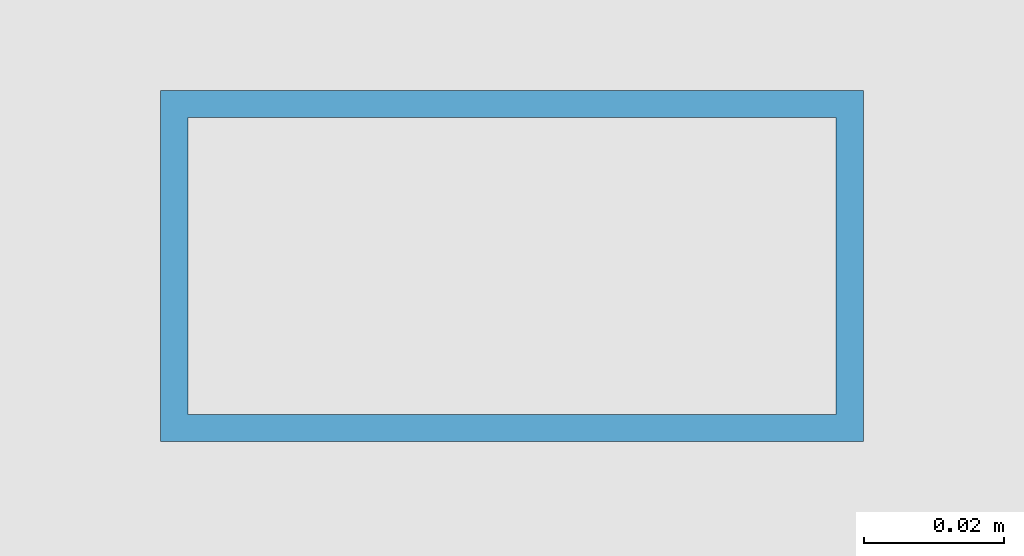
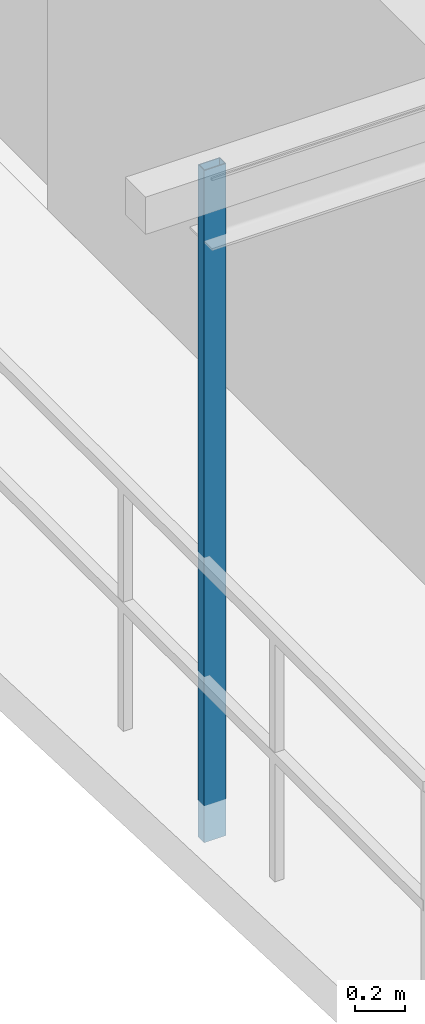
# One storey, part 3 of 15: 1 member.
"""IFC4 building model written with IfcOpenShell, lengths in metres."""

import ifcopenshell
import ifcopenshell.guid

model = None  # the IFC model being written
_history = None  # IfcOwnerHistory: only IFC2X3 demands one
_inside = {}  # id of a spatial element -> (the spatial element, [elements in it])
_under = {}  # id of a project, library or spatial element -> (it, [spatial elements below it])
_declared = {}  # id of a project -> (the project, [libraries it declares])
_typed = {}  # id of a type object -> (the type object, [elements of that type])
_made_of = {}  # id of a material, layer set ... -> (it, [elements and type objects made of it])


def new_model(schema):
    """Start an empty IFC model of exactly this schema.

    Asked for "IFC4X3", IfcOpenShell would pick the latest addendum, in which some entities
    have other attributes; the version numbers below select the first issue.
    IFC2X3 requires an IfcOwnerHistory on every rooted entity: one is made here for all.
    """
    global model, _history
    if schema == "IFC4X3":
        model = ifcopenshell.file(schema_version=(4, 3, 0, 0))
    else:
        model = ifcopenshell.file(schema=schema)
    _inside.clear()
    _under.clear()
    _declared.clear()
    _typed.clear()
    _made_of.clear()
    _history = None
    if model.schema == "IFC2X3":
        org = make("IfcOrganization", Name="unknown")
        user = make(
            "IfcPersonAndOrganization",
            ThePerson=make("IfcPerson", FamilyName="unknown"),
            TheOrganization=org,
        )
        app = make(
            "IfcApplication",
            ApplicationDeveloper=org,
            Version="unknown",
            ApplicationFullName="unknown",
            ApplicationIdentifier="unknown",
        )
        _history = make(
            "IfcOwnerHistory",
            OwningUser=user,
            OwningApplication=app,
            ChangeAction="ADDED",
            CreationDate=0,
        )
    return model


def make(cls, **values):
    """One entity of the class cls with the attributes given. An attribute that is None is left unset."""
    return model.create_entity(
        cls, **{name: value for name, value in values.items() if value is not None}
    )


def rooted(cls, **values):
    """An entity with a GlobalId (a new one), such as an element, a storey or a relation."""
    return make(cls, GlobalId=ifcopenshell.guid.new(), OwnerHistory=_history, **values)


def si_unit(unit_type, name, prefix=None):
    """IfcSIUnit, for example si_unit("LENGTHUNIT", "METRE", prefix="MILLI")."""
    return make("IfcSIUnit", UnitType=unit_type, Prefix=prefix, Name=name)


def assignment(units):
    """IfcUnitAssignment: the units of a project."""
    return None if units is None else make("IfcUnitAssignment", Units=units)


def point(xyz):
    """IfcCartesianPoint."""
    return None if xyz is None else make("IfcCartesianPoint", Coordinates=xyz)


def direction(xyz):
    """IfcDirection."""
    return None if xyz is None else make("IfcDirection", DirectionRatios=xyz)


def frame(location, z_axis=None, x_axis=None):
    """IfcAxis2Placement3D, a coordinate frame: its origin and axes. An axis left out is left unset."""
    return make(
        "IfcAxis2Placement3D",
        Location=point(location),
        Axis=direction(z_axis),
        RefDirection=direction(x_axis),
    )


def frame_2d(location, x_axis=None):
    """IfcAxis2Placement2D, a coordinate frame in the plane: its origin and x axis."""
    return make(
        "IfcAxis2Placement2D", Location=point(location), RefDirection=direction(x_axis)
    )


def origin():
    """The frame at (0, 0, 0) with its axes left unset."""
    return frame((0.0, 0.0, 0.0))


def origin_2d():
    """The frame at (0, 0) in the plane with its x axis left unset."""
    return frame_2d((0.0, 0.0))


def place(relative_to, where):
    """IfcLocalPlacement: puts the frame where relative to a parent placement (None: the world)."""
    return make(
        "IfcLocalPlacement", PlacementRelTo=relative_to, RelativePlacement=where
    )


def context(
    kind, dimensions, precision=None, world=None, true_north=None, identifier=None
):
    """IfcGeometricRepresentationContext, for example the 3D "Model" context."""
    return make(
        "IfcGeometricRepresentationContext",
        ContextIdentifier=identifier,
        ContextType=kind,
        CoordinateSpaceDimension=dimensions,
        Precision=precision,
        WorldCoordinateSystem=world,
        TrueNorth=true_north,
    )


def subcontext(parent, identifier, kind, view, scale=None):
    """IfcGeometricRepresentationSubContext, for example "Body" below "Model"."""
    return make(
        "IfcGeometricRepresentationSubContext",
        ContextIdentifier=identifier,
        ContextType=kind,
        ParentContext=parent,
        TargetScale=scale,
        TargetView=view,
    )


def project(units=None, contexts=None):
    """IfcProject with its units and contexts."""
    return rooted(
        "IfcProject",
        Name="project",
        RepresentationContexts=contexts,
        UnitsInContext=assignment(units),
    )


def spatial(cls, under=None, at=None, **own):
    """A site, building, storey or space (cls), placed at a placement, below another one or the project."""
    s = rooted(cls, ObjectPlacement=at, **own)
    if under is not None:
        _under.setdefault(under.id(), (under, []))[1].append(s)
    return s


def profile(cls, at=None, kind="AREA", **sizes):
    """A parametric profile (cls). Its sizes go by their IFC names, for example OverallWidth=200.0."""
    return make(cls, ProfileType=kind, Position=at, **sizes)


def hollow_rectangle(**sizes):
    """IfcRectangleHollowProfileDef."""
    return profile("IfcRectangleHollowProfileDef", **sizes)


def extrude(swept, where, along, depth):
    """IfcExtrudedAreaSolid: the profile swept, set in the frame where, extruded along a direction by depth."""
    return make(
        "IfcExtrudedAreaSolid",
        SweptArea=swept,
        Position=where,
        ExtrudedDirection=direction(along),
        Depth=depth,
    )


def shape(context_of_items, identifier, shape_type, items):
    """IfcShapeRepresentation: the items that make up one representation, for example the "Body"."""
    return make(
        "IfcShapeRepresentation",
        ContextOfItems=context_of_items,
        RepresentationIdentifier=identifier,
        RepresentationType=shape_type,
        Items=items,
    )


def source(mapping_origin, context_of_items, identifier, shape_type, items):
    """IfcRepresentationMap: a shape defined once, which mapped items show again and again."""
    return make(
        "IfcRepresentationMap",
        MappingOrigin=mapping_origin,
        MappedRepresentation=shape(context_of_items, identifier, shape_type, items),
    )


def transform(
    local_origin,
    x_axis=None,
    y_axis=None,
    z_axis=None,
    scale=None,
    scale2=None,
    scale3=None,
    uniform=True,
):
    """IfcCartesianTransformationOperator3D, or its non-uniform kind. x_axis, y_axis, z_axis: its Axis1, 2, 3."""
    if uniform:
        return make(
            "IfcCartesianTransformationOperator3D",
            Axis1=direction(x_axis),
            Axis2=direction(y_axis),
            LocalOrigin=point(local_origin),
            Scale=scale,
            Axis3=direction(z_axis),
        )
    return make(
        "IfcCartesianTransformationOperator3DnonUniform",
        Axis1=direction(x_axis),
        Axis2=direction(y_axis),
        LocalOrigin=point(local_origin),
        Scale=scale,
        Axis3=direction(z_axis),
        Scale2=scale2,
        Scale3=scale3,
    )


def mapped(mapping_source, mapping_target):
    """IfcMappedItem: shows the shape of a source again, moved by a transform."""
    return make(
        "IfcMappedItem", MappingSource=mapping_source, MappingTarget=mapping_target
    )


def material(Name=None, Category=None):
    """IfcMaterial."""
    return make("IfcMaterial", Name=Name, Category=Category)


def material_profile(
    of_material, cross_section, Name=None, Category=None, Priority=None
):
    """IfcMaterialProfile: a cross section and its material."""
    return make(
        "IfcMaterialProfile",
        Name=Name,
        Material=of_material,
        Profile=cross_section,
        Priority=Priority,
        Category=Category,
    )


def profile_set(profiles, Name=None, composite=None):
    """IfcMaterialProfileSet."""
    return make(
        "IfcMaterialProfileSet",
        Name=Name,
        MaterialProfiles=profiles,
        CompositeProfile=composite,
    )


def made_of(thing, what):
    """Note that an element or type object is made of a material, layer set ...; save() writes the relation."""
    if what is not None:
        _made_of.setdefault(what.id(), (what, []))[1].append(thing)
    return thing


def type_object(cls, material=None, **own):
    """A type object (cls), such as IfcWallType, which elements share."""
    return made_of(rooted(cls, **own), material)


def element(
    cls,
    number,
    at=None,
    inside=None,
    cuts=None,
    type_object=None,
    material=None,
    context=None,
    identifier="Body",
    shape_type=None,
    held_by="IfcProductDefinitionShape",
    body=None,
    shapes=None,
    **own,
):
    """One element of the class cls, such as IfcWall. Its Tag is "e" and its number.

    at: its placement. inside: the storey or other place that contains it. cuts: it is an
    opening in that element (IfcRelVoidsElement). A single representation is given by context,
    identifier, shape_type and body (its items); several are given by shapes. held_by: the class
    of the entity that holds the representations. save() writes the other relations.
    """
    e = rooted(cls, Tag="e%d" % number, ObjectPlacement=at, **own)
    if body is not None:
        shapes = [shape(context, identifier, shape_type, body)]
    if shapes is not None:
        e.Representation = make(held_by, Representations=shapes)
    if inside is not None:
        _inside.setdefault(inside.id(), (inside, []))[1].append(e)
    if cuts is not None:
        rooted(
            "IfcRelVoidsElement", RelatingBuildingElement=cuts, RelatedOpeningElement=e
        )
    if type_object is not None:
        _typed.setdefault(type_object.id(), (type_object, []))[1].append(e)
    return made_of(e, material)


def aggregate(whole, parts):
    """IfcRelAggregates: a whole, such as a stair, and the parts it consists of."""
    return rooted("IfcRelAggregates", RelatingObject=whole, RelatedObjects=parts)


def save(model, path):
    """Write the relations noted so far, then the file.

    IfcRelAggregates (storeys below a building ...), IfcRelContainedInSpatialStructure (elements
    in a storey), IfcRelDefinesByType, IfcRelAssociatesMaterial and IfcRelDeclares: one each for
    every whole, place, type object, material and project.
    """
    for whole, parts in _under.values():
        aggregate(whole, parts)
    for where, things in _inside.values():
        rooted(
            "IfcRelContainedInSpatialStructure",
            RelatedElements=things,
            RelatingStructure=where,
        )
    for kind, things in _typed.values():
        rooted("IfcRelDefinesByType", RelatedObjects=things, RelatingType=kind)
    for what, things in _made_of.values():
        rooted("IfcRelAssociatesMaterial", RelatedObjects=things, RelatingMaterial=what)
    for by, libraries in _declared.values():
        rooted("IfcRelDeclares", RelatingContext=by, RelatedDefinitions=libraries)
    model.write(path)


model = new_model("IFC4")

# Units and contexts
model_context = context("Model", 3, precision=1e-05, world=origin(), true_north=direction((0.0, 1.0)))
body_context = subcontext(model_context, "Body", "Model", "MODEL_VIEW")
ifc_project = project(units=[si_unit("LENGTHUNIT", "METRE"), si_unit("AREAUNIT", "SQUARE_METRE"), si_unit("VOLUMEUNIT", "CUBIC_METRE"), si_unit("PLANEANGLEUNIT", "RADIAN"), si_unit("MASSUNIT", "GRAM", prefix="KILO"), si_unit("THERMODYNAMICTEMPERATUREUNIT", "KELVIN"), si_unit("POWERUNIT", "WATT")], contexts=[model_context])

# Site, building, storey
site_placement = place(None, origin())
site = spatial("IfcSite", under=ifc_project, at=site_placement, CompositionType="ELEMENT")
building_placement = place(site_placement, origin())
building = spatial("IfcBuilding", under=site, at=building_placement, Name="Qiaomeng Ring Towers", CompositionType="ELEMENT")
storey_placement = place(building_placement, frame((0.0, 0.0, 200.25)))
storey = spatial("IfcBuildingStorey", under=building, at=storey_placement, Name="L58", CompositionType="ELEMENT", Elevation=200.25)

# Member
ifc_material = material(Name="Stainless steel 316", Category="steel")
ifc_material_profile = material_profile(ifc_material, hollow_rectangle(XDim=0.050048828125, YDim=0.10009765625, WallThickness=0.00390625, at=origin_2d()), Name="SS TRELLIS 100x50")
ifc_profile_set = profile_set([ifc_material_profile], Name="Stainless steel 316")
member_type = type_object("IfcMemberType", Name="ARC-TR-POST2", PredefinedType="STUD", material=ifc_profile_set)
shared_shape = source(origin(), body_context, "Body", "SweptSolid", [
    extrude(hollow_rectangle(XDim=0.050048828125, YDim=0.10009765625, WallThickness=0.00390625, at=origin_2d()), origin(), (0.0, 0.0, 1.0), 3.25),
])
member_placement = place(storey_placement, frame((0.72998046875, 20.0, -0.179931640625), z_axis=(0.0, 0.0, 1.0), x_axis=(0.0, 1.0, 0.0)))
element("IfcMember", 1, at=member_placement, inside=storey, type_object=member_type, Name="L58 Outer Ventilated Trellis Post W", PredefinedType="STUD", context=body_context, shape_type="MappedRepresentation", body=[
    mapped(shared_shape, transform((0.0, 0.0, 0.0), x_axis=(1.0, 0.0, 0.0), y_axis=(0.0, 1.0, 0.0), z_axis=(0.0, 0.0, 1.0), scale=1.0)),
])

save(model, "model.ifc")
